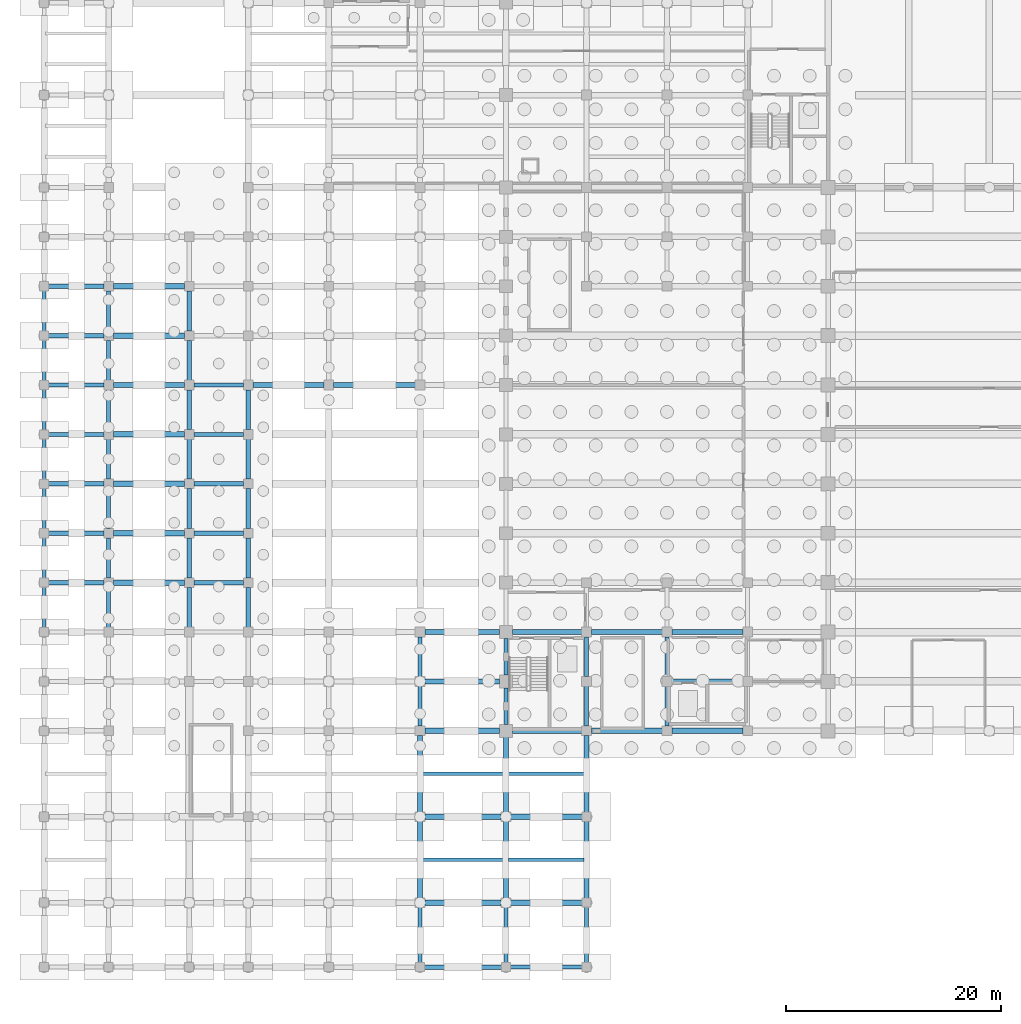
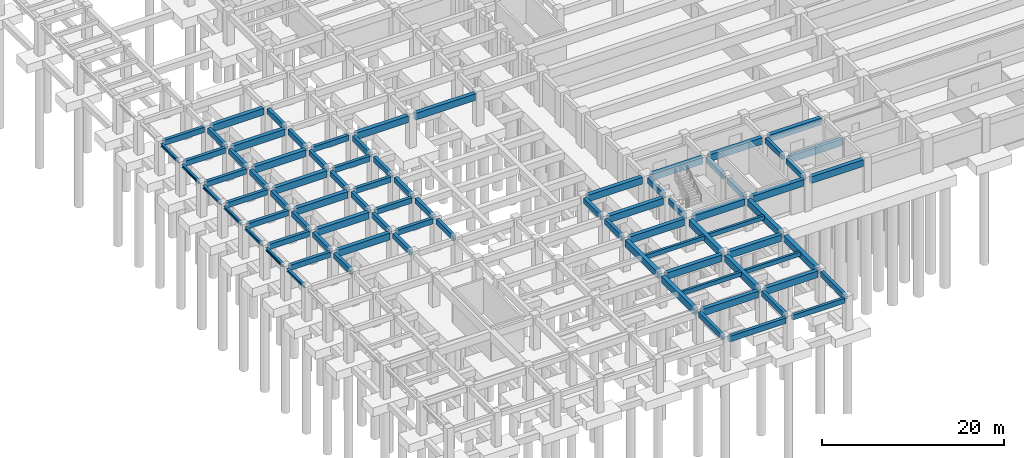
# One storey, part 13 of 32: 84 beams.
"""IFC4 building model written with IfcOpenShell, lengths in metres."""

from ifc_helpers import new_model, si_unit, direction, frame, origin, origin_2d, place, context, subcontext, project, spatial, rectangle, i_section, extrude, material, material_profile, profile_set, type_object, element, save


model = new_model("IFC4")

# Units and contexts
model_context = context("Model", 3, precision=1e-05, world=origin(), true_north=direction((0.0, 1.0)))
body_context = subcontext(model_context, "Body", "Model", "MODEL_VIEW")
ifc_project = project(units=[si_unit("LENGTHUNIT", "METRE"), si_unit("AREAUNIT", "SQUARE_METRE"), si_unit("VOLUMEUNIT", "CUBIC_METRE"), si_unit("PLANEANGLEUNIT", "RADIAN"), si_unit("MASSUNIT", "GRAM", prefix="KILO")], contexts=[model_context])

# Site, building, storey
site_placement = place(None, origin())
site = spatial("IfcSite", under=ifc_project, at=site_placement, CompositionType="ELEMENT")
building_placement = place(site_placement, origin())
building = spatial("IfcBuilding", under=site, at=building_placement, Name="Muzn Square Opera House", CompositionType="ELEMENT")
storey_placement = place(building_placement, frame((0.0, 0.0, -4.199951171875)))
storey = spatial("IfcBuildingStorey", under=building, at=storey_placement, Name="B1", CompositionType="ELEMENT", Elevation=-4.199951171875)

# Beams
ifc_material_1 = material(Name="Concrete C40/50", Category="concrete")
ifc_material_profile_1 = material_profile(ifc_material_1, rectangle(XDim=0.300048828125, YDim=0.550048828125, at=origin_2d()), Name="RCJ 300x550", Category="concrete")
ifc_profile_set_1 = profile_set([ifc_material_profile_1], Name="Concrete C40/50")
beam_type_1 = type_object("IfcBeamType", Name="Floor Joist 300x550", PredefinedType="JOIST", material=ifc_profile_set_1)
for number, where, z_axis, x_axis, name in (
    (1, (35.241943359375, 10.0, 3.60498046875), (1.0, 0.0, 0.0), (0.0, 1.0, 0.0), "Floor Joist BM-B1-BM-J550-352_100_428_100-606"),
    (2, (35.241943359375, 18.0, 3.60498046875), (1.0, 0.0, 0.0), (0.0, 1.0, 0.0), "Floor Joist BM-B1-BM-J550-352_180_428_180-607"),
):
    element("IfcBeam", number, at=place(storey_placement, frame(where, z_axis=z_axis, x_axis=x_axis)), inside=storey, type_object=beam_type_1, Name=name, PredefinedType="JOIST", context=body_context, shape_type="SweptSolid", body=[
        extrude(rectangle(XDim=0.300048828125, YDim=0.550048828125, at=origin_2d()), origin(), (0.0, 0.0, 1.0), 7.51611328125),
    ])
for number, where, z_axis, x_axis, name in (
    (3, (43.241943359375, 10.0, 3.6650390625), (1.0, 0.0, 0.0), (0.0, 1.0, 0.0), "Floor Joist BM-B1-BM-J550-432_100_503_100-619"),
    (4, (43.241943359375, 18.0, 3.6650390625), (1.0, 0.0, 0.0), (0.0, 1.0, 0.0), "Floor Joist BM-B1-BM-J550-432_180_503_180-620"),
):
    element("IfcBeam", number, at=place(storey_placement, frame(where, z_axis=z_axis, x_axis=x_axis)), inside=storey, type_object=beam_type_1, Name=name, PredefinedType="JOIST", context=body_context, shape_type="SweptSolid", body=[
        extrude(rectangle(XDim=0.300048828125, YDim=0.550048828125, at=origin_2d()), origin(), (0.0, 0.0, 1.0), 7.01611328125),
    ])
ifc_material_profile_2 = material_profile(ifc_material_1, rectangle(XDim=0.39990234375, YDim=0.699951171875, at=origin_2d()), Name="RCB 400x700", Category="concrete")
ifc_profile_set_2 = profile_set([ifc_material_profile_2], Name="Concrete C40/50")
beam_type_2 = type_object("IfcBeamType", Name="Primary Girder 400x700", PredefinedType="BEAM", material=ifc_profile_set_2)
beam_1_placement = place(storey_placement, frame((0.4169921875, 35.800048828125, 3.58984375), z_axis=(1.0, 0.0, 0.0), x_axis=(0.0, 1.0, 0.0)))
element("IfcBeam", 5, at=beam_1_placement, inside=storey, type_object=beam_type_2, Name="Primary Girder BM-B1-BM-PG700-4_358_56_358-99", PredefinedType="BEAM", context=body_context, shape_type="SweptSolid", body=[
    extrude(rectangle(XDim=0.39990234375, YDim=0.699951171875, at=origin_2d()), origin(), (0.0, 0.0, 1.0), 5.14111328125),
])
beam_2_placement = place(storey_placement, frame((13.94189453125, 35.800048828125, 3.530029296875), z_axis=(1.0, 0.0, 0.0), x_axis=(0.0, 1.0, 0.0)))
element("IfcBeam", 6, at=beam_2_placement, inside=storey, type_object=beam_type_2, Name="Primary Girder BM-B1-BM-PG700-139_358_186_358-101", PredefinedType="BEAM", context=body_context, shape_type="SweptSolid", body=[
    extrude(rectangle(XDim=0.39990234375, YDim=0.699951171875, at=origin_2d()), origin(), (0.0, 0.0, 1.0), 4.6162109375),
])
beam_3_placement = place(storey_placement, frame((0.4169921875, 40.39990234375, 3.58984375), z_axis=(1.0, 0.0, 0.0), x_axis=(0.0, 1.0, 0.0)))
element("IfcBeam", 7, at=beam_3_placement, inside=storey, type_object=beam_type_2, Name="Primary Girder BM-B1-BM-PG700-4_404_56_404-114", PredefinedType="BEAM", context=body_context, shape_type="SweptSolid", body=[
    extrude(rectangle(XDim=0.39990234375, YDim=0.699951171875, at=origin_2d()), origin(), (0.0, 0.0, 1.0), 5.14111328125),
])
beam_4_placement = place(storey_placement, frame((13.94189453125, 40.39990234375, 3.530029296875), z_axis=(1.0, 0.0, 0.0), x_axis=(0.0, 1.0, 0.0)))
element("IfcBeam", 8, at=beam_4_placement, inside=storey, type_object=beam_type_2, Name="Primary Girder BM-B1-BM-PG700-139_404_186_404-116", PredefinedType="BEAM", context=body_context, shape_type="SweptSolid", body=[
    extrude(rectangle(XDim=0.39990234375, YDim=0.699951171875, at=origin_2d()), origin(), (0.0, 0.0, 1.0), 4.6162109375),
])
beam_5_placement = place(storey_placement, frame((0.4169921875, 45.0, 3.58984375), z_axis=(1.0, 0.0, 0.0), x_axis=(0.0, 1.0, 0.0)))
element("IfcBeam", 9, at=beam_5_placement, inside=storey, type_object=beam_type_2, Name="Primary Girder BM-B1-BM-PG700-4_450_56_450-123", PredefinedType="BEAM", context=body_context, shape_type="SweptSolid", body=[
    extrude(rectangle(XDim=0.39990234375, YDim=0.699951171875, at=origin_2d()), origin(), (0.0, 0.0, 1.0), 5.14111328125),
])
beam_6_placement = place(storey_placement, frame((13.94189453125, 45.0, 3.530029296875), z_axis=(1.0, 0.0, 0.0), x_axis=(0.0, 1.0, 0.0)))
element("IfcBeam", 10, at=beam_6_placement, inside=storey, type_object=beam_type_2, Name="Primary Girder BM-B1-BM-PG700-139_450_186_450-125", PredefinedType="BEAM", context=body_context, shape_type="SweptSolid", body=[
    extrude(rectangle(XDim=0.39990234375, YDim=0.699951171875, at=origin_2d()), origin(), (0.0, 0.0, 1.0), 4.6162109375),
])
beam_7_placement = place(storey_placement, frame((0.4169921875, 49.60009765625, 3.58984375), z_axis=(1.0, 0.0, 0.0), x_axis=(0.0, 1.0, 0.0)))
element("IfcBeam", 11, at=beam_7_placement, inside=storey, type_object=beam_type_2, Name="Primary Girder BM-B1-BM-PG700-4_496_56_496-132", PredefinedType="BEAM", context=body_context, shape_type="SweptSolid", body=[
    extrude(rectangle(XDim=0.39990234375, YDim=0.699951171875, at=origin_2d()), origin(), (0.0, 0.0, 1.0), 5.14111328125),
])
beam_8_placement = place(storey_placement, frame((13.94189453125, 49.60009765625, 3.530029296875), z_axis=(1.0, 0.0, 0.0), x_axis=(0.0, 1.0, 0.0)))
element("IfcBeam", 12, at=beam_8_placement, inside=storey, type_object=beam_type_2, Name="Primary Girder BM-B1-BM-PG700-139_496_186_496-134", PredefinedType="BEAM", context=body_context, shape_type="SweptSolid", body=[
    extrude(rectangle(XDim=0.39990234375, YDim=0.699951171875, at=origin_2d()), origin(), (0.0, 0.0, 1.0), 4.6162109375),
])
beam_9_placement = place(storey_placement, frame((0.4169921875, 54.199951171875, 3.58984375), z_axis=(1.0, 0.0, 0.0), x_axis=(0.0, 1.0, 0.0)))
element("IfcBeam", 13, at=beam_9_placement, inside=storey, type_object=beam_type_2, Name="Primary Girder BM-B1-BM-PG700-4_542_56_542-141", PredefinedType="BEAM", context=body_context, shape_type="SweptSolid", body=[
    extrude(rectangle(XDim=0.39990234375, YDim=0.699951171875, at=origin_2d()), origin(), (0.0, 0.0, 1.0), 5.14111328125),
])
beam_10_placement = place(storey_placement, frame((13.94189453125, 54.199951171875, 3.530029296875), z_axis=(1.0, 0.0, 0.0), x_axis=(0.0, 1.0, 0.0)))
element("IfcBeam", 14, at=beam_10_placement, inside=storey, type_object=beam_type_2, Name="Primary Girder BM-B1-BM-PG700-139_542_186_542-143", PredefinedType="BEAM", context=body_context, shape_type="SweptSolid", body=[
    extrude(rectangle(XDim=0.39990234375, YDim=0.699951171875, at=origin_2d()), origin(), (0.0, 0.0, 1.0), 4.6162109375),
])
for number, where, z_axis, x_axis, name in (
    (15, (0.4169921875, 58.800048828125, 3.58984375), (1.0, 0.0, 0.0), (0.0, 1.0, 0.0), "Primary Girder BM-B1-BM-PG700-4_588_56_588-156"),
    (16, (0.4169921875, 63.39990234375, 3.58984375), (1.0, 0.0, 0.0), (0.0, 1.0, 0.0), "Primary Girder BM-B1-BM-PG700-4_634_56_634-171"),
):
    element("IfcBeam", number, at=place(storey_placement, frame(where, z_axis=z_axis, x_axis=x_axis)), inside=storey, type_object=beam_type_2, Name=name, PredefinedType="BEAM", context=body_context, shape_type="SweptSolid", body=[
        extrude(rectangle(XDim=0.39990234375, YDim=0.699951171875, at=origin_2d()), origin(), (0.0, 0.0, 1.0), 5.14111328125),
    ])
beam_11_placement = place(storey_placement, frame((6.0, 31.64208984375, 3.530029296875), z_axis=(0.0, 1.0, 0.0), x_axis=(-1.0, 0.0, 0.0)))
element("IfcBeam", 17, at=beam_11_placement, inside=storey, type_object=beam_type_2, Name="Primary Girder BM-B1-BM-PG700-60_316_60_354-310", PredefinedType="BEAM", context=body_context, shape_type="SweptSolid", body=[
    extrude(rectangle(XDim=0.39990234375, YDim=0.699951171875, at=origin_2d()), origin(), (0.0, 0.0, 1.0), 3.7158203125),
])
for number, where, z_axis, x_axis, name in (
    (18, (6.0, 36.241943359375, 3.530029296875), (0.0, 1.0, 0.0), (-1.0, 0.0, 0.0), "Primary Girder BM-B1-BM-PG700-60_362_60_400-311"),
    (19, (6.0, 40.842041015625, 3.530029296875), (0.0, 1.0, 0.0), (-1.0, 0.0, 0.0), "Primary Girder BM-B1-BM-PG700-60_408_60_446-312"),
    (20, (6.0, 45.44189453125, 3.530029296875), (0.0, 1.0, 0.0), (-1.0, 0.0, 0.0), "Primary Girder BM-B1-BM-PG700-60_454_60_492-313"),
    (21, (6.0, 50.0419921875, 3.530029296875), (0.0, 1.0, 0.0), (-1.0, 0.0, 0.0), "Primary Girder BM-B1-BM-PG700-60_500_60_538-314"),
):
    element("IfcBeam", number, at=place(storey_placement, frame(where, z_axis=z_axis, x_axis=x_axis)), inside=storey, type_object=beam_type_2, Name=name, PredefinedType="BEAM", context=body_context, shape_type="SweptSolid", body=[
        extrude(rectangle(XDim=0.39990234375, YDim=0.699951171875, at=origin_2d()), origin(), (0.0, 0.0, 1.0), 3.716064453125),
    ])
beam_12_placement = place(storey_placement, frame((6.0, 54.64208984375, 3.530029296875), z_axis=(0.0, 1.0, 0.0), x_axis=(-1.0, 0.0, 0.0)))
element("IfcBeam", 22, at=beam_12_placement, inside=storey, type_object=beam_type_2, Name="Primary Girder BM-B1-BM-PG700-60_546_60_584-315", PredefinedType="BEAM", context=body_context, shape_type="SweptSolid", body=[
    extrude(rectangle(XDim=0.39990234375, YDim=0.699951171875, at=origin_2d()), origin(), (0.0, 0.0, 1.0), 3.7158203125),
])
beam_13_placement = place(storey_placement, frame((6.0, 59.241943359375, 3.530029296875), z_axis=(0.0, 1.0, 0.0), x_axis=(-1.0, 0.0, 0.0)))
element("IfcBeam", 23, at=beam_13_placement, inside=storey, type_object=beam_type_2, Name="Primary Girder BM-B1-BM-PG700-60_592_60_630-316", PredefinedType="BEAM", context=body_context, shape_type="SweptSolid", body=[
    extrude(rectangle(XDim=0.39990234375, YDim=0.699951171875, at=origin_2d()), origin(), (0.0, 0.0, 1.0), 3.716064453125),
])
beam_14_placement = place(storey_placement, frame((13.5, 31.64208984375, 3.530029296875), z_axis=(0.0, 1.0, 0.0), x_axis=(-1.0, 0.0, 0.0)))
element("IfcBeam", 24, at=beam_14_placement, inside=storey, type_object=beam_type_2, Name="Primary Girder BM-B1-BM-PG700-135_316_135_354-325", PredefinedType="BEAM", context=body_context, shape_type="SweptSolid", body=[
    extrude(rectangle(XDim=0.39990234375, YDim=0.699951171875, at=origin_2d()), origin(), (0.0, 0.0, 1.0), 3.7158203125),
])
for number, where, z_axis, x_axis, name in (
    (25, (13.5, 36.241943359375, 3.530029296875), (0.0, 1.0, 0.0), (-1.0, 0.0, 0.0), "Primary Girder BM-B1-BM-PG700-135_362_135_400-326"),
    (26, (13.5, 40.842041015625, 3.530029296875), (0.0, 1.0, 0.0), (-1.0, 0.0, 0.0), "Primary Girder BM-B1-BM-PG700-135_408_135_446-327"),
    (27, (13.5, 45.44189453125, 3.530029296875), (0.0, 1.0, 0.0), (-1.0, 0.0, 0.0), "Primary Girder BM-B1-BM-PG700-135_454_135_492-328"),
    (28, (13.5, 50.0419921875, 3.530029296875), (0.0, 1.0, 0.0), (-1.0, 0.0, 0.0), "Primary Girder BM-B1-BM-PG700-135_500_135_538-329"),
):
    element("IfcBeam", number, at=place(storey_placement, frame(where, z_axis=z_axis, x_axis=x_axis)), inside=storey, type_object=beam_type_2, Name=name, PredefinedType="BEAM", context=body_context, shape_type="SweptSolid", body=[
        extrude(rectangle(XDim=0.39990234375, YDim=0.699951171875, at=origin_2d()), origin(), (0.0, 0.0, 1.0), 3.716064453125),
    ])
beam_15_placement = place(storey_placement, frame((13.5, 54.64208984375, 3.530029296875), z_axis=(0.0, 1.0, 0.0), x_axis=(-1.0, 0.0, 0.0)))
element("IfcBeam", 29, at=beam_15_placement, inside=storey, type_object=beam_type_2, Name="Primary Girder BM-B1-BM-PG700-135_546_135_584-330", PredefinedType="BEAM", context=body_context, shape_type="SweptSolid", body=[
    extrude(rectangle(XDim=0.39990234375, YDim=0.699951171875, at=origin_2d()), origin(), (0.0, 0.0, 1.0), 3.7158203125),
])
beam_16_placement = place(storey_placement, frame((13.5, 59.241943359375, 3.530029296875), z_axis=(0.0, 1.0, 0.0), x_axis=(-1.0, 0.0, 0.0)))
element("IfcBeam", 30, at=beam_16_placement, inside=storey, type_object=beam_type_2, Name="Primary Girder BM-B1-BM-PG700-135_592_135_630-331", PredefinedType="BEAM", context=body_context, shape_type="SweptSolid", body=[
    extrude(rectangle(XDim=0.39990234375, YDim=0.699951171875, at=origin_2d()), origin(), (0.0, 0.0, 1.0), 3.716064453125),
])
beam_17_placement = place(storey_placement, frame((19.0, 31.64208984375, 3.530029296875), z_axis=(0.0, 1.0, 0.0), x_axis=(-1.0, 0.0, 0.0)))
element("IfcBeam", 31, at=beam_17_placement, inside=storey, type_object=beam_type_2, Name="Primary Girder BM-B1-BM-PG700-190_316_190_354-338", PredefinedType="BEAM", context=body_context, shape_type="SweptSolid", body=[
    extrude(rectangle(XDim=0.39990234375, YDim=0.699951171875, at=origin_2d()), origin(), (0.0, 0.0, 1.0), 3.7158203125),
])
for number, where, z_axis, x_axis, name in (
    (32, (19.0, 36.241943359375, 3.530029296875), (0.0, 1.0, 0.0), (-1.0, 0.0, 0.0), "Primary Girder BM-B1-BM-PG700-190_362_190_400-339"),
    (33, (19.0, 40.842041015625, 3.530029296875), (0.0, 1.0, 0.0), (-1.0, 0.0, 0.0), "Primary Girder BM-B1-BM-PG700-190_408_190_446-340"),
    (34, (19.0, 45.44189453125, 3.530029296875), (0.0, 1.0, 0.0), (-1.0, 0.0, 0.0), "Primary Girder BM-B1-BM-PG700-190_454_190_492-341"),
    (35, (19.0, 50.0419921875, 3.530029296875), (0.0, 1.0, 0.0), (-1.0, 0.0, 0.0), "Primary Girder BM-B1-BM-PG700-190_500_190_538-342"),
):
    element("IfcBeam", number, at=place(storey_placement, frame(where, z_axis=z_axis, x_axis=x_axis)), inside=storey, type_object=beam_type_2, Name=name, PredefinedType="BEAM", context=body_context, shape_type="SweptSolid", body=[
        extrude(rectangle(XDim=0.39990234375, YDim=0.699951171875, at=origin_2d()), origin(), (0.0, 0.0, 1.0), 3.716064453125),
    ])
beam_18_placement = place(storey_placement, frame((35.0, 0.4169921875, 3.58984375), z_axis=(0.0, 1.0, 0.0), x_axis=(-1.0, 0.0, 0.0)))
element("IfcBeam", 36, at=beam_18_placement, inside=storey, type_object=beam_type_2, Name="Primary Girder BM-B1-BM-PG700-350_4_350_56-363", PredefinedType="BEAM", context=body_context, shape_type="SweptSolid", body=[
    extrude(rectangle(XDim=0.39990234375, YDim=0.699951171875, at=origin_2d()), origin(), (0.0, 0.0, 1.0), 5.14111328125),
])
for number, where, z_axis, x_axis, name in (
    (37, (35.0, 22.44189453125, 3.530029296875), (0.0, 1.0, 0.0), (-1.0, 0.0, 0.0), "Primary Girder BM-B1-BM-PG700-350_224_350_262-366"),
    (38, (35.0, 27.0419921875, 3.530029296875), (0.0, 1.0, 0.0), (-1.0, 0.0, 0.0), "Primary Girder BM-B1-BM-PG700-350_270_350_308-367"),
):
    element("IfcBeam", number, at=place(storey_placement, frame(where, z_axis=z_axis, x_axis=x_axis)), inside=storey, type_object=beam_type_2, Name=name, PredefinedType="BEAM", context=body_context, shape_type="SweptSolid", body=[
        extrude(rectangle(XDim=0.39990234375, YDim=0.699951171875, at=origin_2d()), origin(), (0.0, 0.0, 1.0), 3.716064453125),
    ])
beam_19_placement = place(storey_placement, frame((43.0, 0.4169921875, 3.58984375), z_axis=(0.0, 1.0, 0.0), x_axis=(-1.0, 0.0, 0.0)))
element("IfcBeam", 39, at=beam_19_placement, inside=storey, type_object=beam_type_2, Name="Primary Girder BM-B1-BM-PG700-430_4_430_56-376", PredefinedType="BEAM", context=body_context, shape_type="SweptSolid", body=[
    extrude(rectangle(XDim=0.39990234375, YDim=0.699951171875, at=origin_2d()), origin(), (0.0, 0.0, 1.0), 5.14111328125),
])
for number, where, z_axis, x_axis, name in (
    (40, (43.0, 22.592041015625, 3.530029296875), (0.0, 1.0, 0.0), (-1.0, 0.0, 0.0), "Primary Girder BM-B1-BM-PG700-430_226_430_260-379"),
    (41, (43.0, 27.19189453125, 3.530029296875), (0.0, 1.0, 0.0), (-1.0, 0.0, 0.0), "Primary Girder BM-B1-BM-PG700-430_272_430_306-380"),
):
    element("IfcBeam", number, at=place(storey_placement, frame(where, z_axis=z_axis, x_axis=x_axis)), inside=storey, type_object=beam_type_2, Name=name, PredefinedType="BEAM", context=body_context, shape_type="SweptSolid", body=[
        extrude(rectangle(XDim=0.39990234375, YDim=0.699951171875, at=origin_2d()), origin(), (0.0, 0.0, 1.0), 3.416015625),
    ])
beam_20_placement = place(storey_placement, frame((50.5, 0.4169921875, 3.530029296875), z_axis=(0.0, 1.0, 0.0), x_axis=(-1.0, 0.0, 0.0)))
element("IfcBeam", 42, at=beam_20_placement, inside=storey, type_object=beam_type_2, Name="Primary Girder BM-B1-BM-PG700-505_4_505_56-394", PredefinedType="BEAM", context=body_context, shape_type="SweptSolid", body=[
    extrude(rectangle(XDim=0.39990234375, YDim=0.699951171875, at=origin_2d()), origin(), (0.0, 0.0, 1.0), 5.166015625),
])
for number, where, z_axis, x_axis, name in (
    (43, (50.5, 22.44189453125, 3.530029296875), (0.0, 1.0, 0.0), (-1.0, 0.0, 0.0), "Primary Girder BM-B1-BM-PG700-505_224_505_262-397"),
    (44, (50.5, 27.0419921875, 3.530029296875), (0.0, 1.0, 0.0), (-1.0, 0.0, 0.0), "Primary Girder BM-B1-BM-PG700-505_270_505_308-398"),
    (45, (58.0, 22.44189453125, 3.530029296875), (0.0, 1.0, 0.0), (-1.0, 0.0, 0.0), "Primary Girder BM-B1-BM-PG700-580_224_580_262-406"),
    (46, (58.0, 27.0419921875, 3.530029296875), (0.0, 1.0, 0.0), (-1.0, 0.0, 0.0), "Primary Girder BM-B1-BM-PG700-580_270_580_308-407"),
):
    element("IfcBeam", number, at=place(storey_placement, frame(where, z_axis=z_axis, x_axis=x_axis)), inside=storey, type_object=beam_type_2, Name=name, PredefinedType="BEAM", context=body_context, shape_type="SweptSolid", body=[
        extrude(rectangle(XDim=0.39990234375, YDim=0.699951171875, at=origin_2d()), origin(), (0.0, 0.0, 1.0), 3.716064453125),
    ])
ifc_material_profile_3 = material_profile(ifc_material_1, rectangle(XDim=0.5, YDim=0.89990234375, at=origin_2d()), Name="RCB 500x900", Category="concrete")
ifc_profile_set_3 = profile_set([ifc_material_profile_3], Name="Concrete C40/50")
beam_type_3 = type_object("IfcBeamType", Name="Primary Girder 500x900", PredefinedType="BEAM", material=ifc_profile_set_3)
beam_21_placement = place(storey_placement, frame((35.44189453125, 6.0, 3.429931640625), z_axis=(1.0, 0.0, 0.0), x_axis=(0.0, 1.0, 0.0)))
element("IfcBeam", 47, at=beam_21_placement, inside=storey, type_object=beam_type_3, Name="Primary Girder BM-B1-BM-PG900-354_60_426_60-20", PredefinedType="BEAM", context=body_context, shape_type="SweptSolid", body=[
    extrude(rectangle(XDim=0.5, YDim=0.89990234375, at=origin_2d()), origin(), (0.0, 0.0, 1.0), 7.1162109375),
])
beam_22_placement = place(storey_placement, frame((43.44189453125, 6.0, 3.489990234375), z_axis=(1.0, 0.0, 0.0), x_axis=(0.0, 1.0, 0.0)))
element("IfcBeam", 48, at=beam_22_placement, inside=storey, type_object=beam_type_3, Name="Primary Girder BM-B1-BM-PG900-434_60_501_60-21", PredefinedType="BEAM", context=body_context, shape_type="SweptSolid", body=[
    extrude(rectangle(XDim=0.5, YDim=0.89990234375, at=origin_2d()), origin(), (0.0, 0.0, 1.0), 6.64111328125),
])
beam_23_placement = place(storey_placement, frame((35.44189453125, 14.0, 3.429931640625), z_axis=(1.0, 0.0, 0.0), x_axis=(0.0, 1.0, 0.0)))
element("IfcBeam", 49, at=beam_23_placement, inside=storey, type_object=beam_type_3, Name="Primary Girder BM-B1-BM-PG900-354_140_426_140-33", PredefinedType="BEAM", context=body_context, shape_type="SweptSolid", body=[
    extrude(rectangle(XDim=0.5, YDim=0.89990234375, at=origin_2d()), origin(), (0.0, 0.0, 1.0), 7.1162109375),
])
beam_24_placement = place(storey_placement, frame((43.44189453125, 14.0, 3.489990234375), z_axis=(1.0, 0.0, 0.0), x_axis=(0.0, 1.0, 0.0)))
element("IfcBeam", 50, at=beam_24_placement, inside=storey, type_object=beam_type_3, Name="Primary Girder BM-B1-BM-PG900-434_140_501_140-34", PredefinedType="BEAM", context=body_context, shape_type="SweptSolid", body=[
    extrude(rectangle(XDim=0.5, YDim=0.89990234375, at=origin_2d()), origin(), (0.0, 0.0, 1.0), 6.64111328125),
])
beam_25_placement = place(storey_placement, frame((35.44189453125, 22.0, 3.429931640625), z_axis=(1.0, 0.0, 0.0), x_axis=(0.0, 1.0, 0.0)))
element("IfcBeam", 51, at=beam_25_placement, inside=storey, type_object=beam_type_3, Name="Primary Girder BM-B1-BM-PG900-354_220_424_220-44", PredefinedType="BEAM", context=body_context, shape_type="SweptSolid", body=[
    extrude(rectangle(XDim=0.5, YDim=0.89990234375, at=origin_2d()), origin(), (0.0, 0.0, 1.0), 6.966064453125),
])
beam_26_placement = place(storey_placement, frame((43.592041015625, 22.0, 3.429931640625), z_axis=(1.0, 0.0, 0.0), x_axis=(0.0, 1.0, 0.0)))
element("IfcBeam", 52, at=beam_26_placement, inside=storey, type_object=beam_type_3, Name="Primary Girder BM-B1-BM-PG900-436_220_501_220-45", PredefinedType="BEAM", context=body_context, shape_type="SweptSolid", body=[
    extrude(rectangle(XDim=0.5, YDim=0.89990234375, at=origin_2d()), origin(), (0.0, 0.0, 1.0), 6.466064453125),
])
for number, where, z_axis, x_axis, name in (
    (53, (50.94189453125, 22.0, 3.429931640625), (1.0, 0.0, 0.0), (0.0, 1.0, 0.0), "Primary Girder BM-B1-BM-PG900-509_220_576_220-46"),
    (54, (58.44189453125, 22.0, 3.429931640625), (1.0, 0.0, 0.0), (0.0, 1.0, 0.0), "Primary Girder BM-B1-BM-PG900-584_220_651_220-47"),
):
    element("IfcBeam", number, at=place(storey_placement, frame(where, z_axis=z_axis, x_axis=x_axis)), inside=storey, type_object=beam_type_3, Name=name, PredefinedType="BEAM", context=body_context, shape_type="SweptSolid", body=[
        extrude(rectangle(XDim=0.5, YDim=0.89990234375, at=origin_2d()), origin(), (0.0, 0.0, 1.0), 6.6162109375),
    ])
beam_27_placement = place(storey_placement, frame((35.44189453125, 26.60009765625, 3.429931640625), z_axis=(1.0, 0.0, 0.0), x_axis=(0.0, 1.0, 0.0)))
element("IfcBeam", 55, at=beam_27_placement, inside=storey, type_object=beam_type_3, Name="Primary Girder BM-B1-BM-PG900-354_266_424_266-66", PredefinedType="BEAM", context=body_context, shape_type="SweptSolid", body=[
    extrude(rectangle(XDim=0.5, YDim=0.89990234375, at=origin_2d()), origin(), (0.0, 0.0, 1.0), 6.966064453125),
])
beam_28_placement = place(storey_placement, frame((58.44189453125, 26.60009765625, 3.429931640625), z_axis=(1.0, 0.0, 0.0), x_axis=(0.0, 1.0, 0.0)))
element("IfcBeam", 56, at=beam_28_placement, inside=storey, type_object=beam_type_3, Name="Primary Girder BM-B1-BM-PG900-584_266_651_266-67", PredefinedType="BEAM", context=body_context, shape_type="SweptSolid", body=[
    extrude(rectangle(XDim=0.5, YDim=0.89990234375, at=origin_2d()), origin(), (0.0, 0.0, 1.0), 6.6162109375),
])
beam_29_placement = place(storey_placement, frame((35.44189453125, 31.199951171875, 3.429931640625), z_axis=(1.0, 0.0, 0.0), x_axis=(0.0, 1.0, 0.0)))
element("IfcBeam", 57, at=beam_29_placement, inside=storey, type_object=beam_type_3, Name="Primary Girder BM-B1-BM-PG900-354_312_424_312-83", PredefinedType="BEAM", context=body_context, shape_type="SweptSolid", body=[
    extrude(rectangle(XDim=0.5, YDim=0.89990234375, at=origin_2d()), origin(), (0.0, 0.0, 1.0), 6.966064453125),
])
beam_30_placement = place(storey_placement, frame((43.592041015625, 31.199951171875, 3.429931640625), z_axis=(1.0, 0.0, 0.0), x_axis=(0.0, 1.0, 0.0)))
element("IfcBeam", 58, at=beam_30_placement, inside=storey, type_object=beam_type_3, Name="Primary Girder BM-B1-BM-PG900-436_312_501_312-84", PredefinedType="BEAM", context=body_context, shape_type="SweptSolid", body=[
    extrude(rectangle(XDim=0.5, YDim=0.89990234375, at=origin_2d()), origin(), (0.0, 0.0, 1.0), 6.466064453125),
])
for number, where, z_axis, x_axis, name in (
    (59, (50.94189453125, 31.199951171875, 3.429931640625), (1.0, 0.0, 0.0), (0.0, 1.0, 0.0), "Primary Girder BM-B1-BM-PG900-509_312_576_312-85"),
    (60, (58.44189453125, 31.199951171875, 3.429931640625), (1.0, 0.0, 0.0), (0.0, 1.0, 0.0), "Primary Girder BM-B1-BM-PG900-584_312_651_312-86"),
    (61, (6.44189453125, 35.800048828125, 3.429931640625), (1.0, 0.0, 0.0), (0.0, 1.0, 0.0), "Primary Girder BM-B1-BM-PG900-64_358_131_358-100"),
    (62, (6.44189453125, 40.39990234375, 3.429931640625), (1.0, 0.0, 0.0), (0.0, 1.0, 0.0), "Primary Girder BM-B1-BM-PG900-64_404_131_404-115"),
    (63, (6.44189453125, 45.0, 3.429931640625), (1.0, 0.0, 0.0), (0.0, 1.0, 0.0), "Primary Girder BM-B1-BM-PG900-64_450_131_450-124"),
    (64, (6.44189453125, 49.60009765625, 3.429931640625), (1.0, 0.0, 0.0), (0.0, 1.0, 0.0), "Primary Girder BM-B1-BM-PG900-64_496_131_496-133"),
    (65, (6.44189453125, 54.199951171875, 3.429931640625), (1.0, 0.0, 0.0), (0.0, 1.0, 0.0), "Primary Girder BM-B1-BM-PG900-64_542_131_542-142"),
    (66, (19.44189453125, 54.199951171875, 3.429931640625), (1.0, 0.0, 0.0), (0.0, 1.0, 0.0), "Primary Girder BM-B1-BM-PG900-194_542_261_542-144"),
):
    element("IfcBeam", number, at=place(storey_placement, frame(where, z_axis=z_axis, x_axis=x_axis)), inside=storey, type_object=beam_type_3, Name=name, PredefinedType="BEAM", context=body_context, shape_type="SweptSolid", body=[
        extrude(rectangle(XDim=0.5, YDim=0.89990234375, at=origin_2d()), origin(), (0.0, 0.0, 1.0), 6.6162109375),
    ])
beam_31_placement = place(storey_placement, frame((26.94189453125, 54.199951171875, 3.429931640625), z_axis=(1.0, 0.0, 0.0), x_axis=(0.0, 1.0, 0.0)))
element("IfcBeam", 67, at=beam_31_placement, inside=storey, type_object=beam_type_3, Name="Primary Girder BM-B1-BM-PG900-269_542_346_542-145", PredefinedType="BEAM", context=body_context, shape_type="SweptSolid", body=[
    extrude(rectangle(XDim=0.5, YDim=0.89990234375, at=origin_2d()), origin(), (0.0, 0.0, 1.0), 7.6162109375),
])
for number, where, z_axis, x_axis, name in (
    (68, (6.44189453125, 58.800048828125, 3.429931640625), (1.0, 0.0, 0.0), (0.0, 1.0, 0.0), "Primary Girder BM-B1-BM-PG900-64_588_131_588-157"),
    (69, (6.44189453125, 63.39990234375, 3.429931640625), (1.0, 0.0, 0.0), (0.0, 1.0, 0.0), "Primary Girder BM-B1-BM-PG900-64_634_131_634-172"),
):
    element("IfcBeam", number, at=place(storey_placement, frame(where, z_axis=z_axis, x_axis=x_axis)), inside=storey, type_object=beam_type_3, Name=name, PredefinedType="BEAM", context=body_context, shape_type="SweptSolid", body=[
        extrude(rectangle(XDim=0.5, YDim=0.89990234375, at=origin_2d()), origin(), (0.0, 0.0, 1.0), 6.6162109375),
    ])
for number, where, z_axis, x_axis, name in (
    (70, (35.0, 6.44189453125, 3.429931640625), (0.0, 1.0, 0.0), (-1.0, 0.0, 0.0), "Primary Girder BM-B1-BM-PG900-350_64_350_136-364"),
    (71, (35.0, 14.44189453125, 3.429931640625), (0.0, 1.0, 0.0), (-1.0, 0.0, 0.0), "Primary Girder BM-B1-BM-PG900-350_144_350_216-365"),
    (72, (43.0, 6.44189453125, 3.429931640625), (0.0, 1.0, 0.0), (-1.0, 0.0, 0.0), "Primary Girder BM-B1-BM-PG900-430_64_430_136-377"),
):
    element("IfcBeam", number, at=place(storey_placement, frame(where, z_axis=z_axis, x_axis=x_axis)), inside=storey, type_object=beam_type_3, Name=name, PredefinedType="BEAM", context=body_context, shape_type="SweptSolid", body=[
        extrude(rectangle(XDim=0.5, YDim=0.89990234375, at=origin_2d()), origin(), (0.0, 0.0, 1.0), 7.1162109375),
    ])
beam_32_placement = place(storey_placement, frame((43.0, 14.44189453125, 3.429931640625), z_axis=(0.0, 1.0, 0.0), x_axis=(-1.0, 0.0, 0.0)))
element("IfcBeam", 73, at=beam_32_placement, inside=storey, type_object=beam_type_3, Name="Primary Girder BM-B1-BM-PG900-430_144_430_214-378", PredefinedType="BEAM", context=body_context, shape_type="SweptSolid", body=[
    extrude(rectangle(XDim=0.5, YDim=0.89990234375, at=origin_2d()), origin(), (0.0, 0.0, 1.0), 6.966064453125),
])
beam_33_placement = place(storey_placement, frame((50.5, 6.4169921875, 3.429931640625), z_axis=(0.0, 1.0, 0.0), x_axis=(-1.0, 0.0, 0.0)))
element("IfcBeam", 74, at=beam_33_placement, inside=storey, type_object=beam_type_3, Name="Primary Girder BM-B1-BM-PG900-505_64_505_136-395", PredefinedType="BEAM", context=body_context, shape_type="SweptSolid", body=[
    extrude(rectangle(XDim=0.5, YDim=0.89990234375, at=origin_2d()), origin(), (0.0, 0.0, 1.0), 7.166015625),
])
beam_34_placement = place(storey_placement, frame((50.5, 14.4169921875, 3.429931640625), z_axis=(0.0, 1.0, 0.0), x_axis=(-1.0, 0.0, 0.0)))
element("IfcBeam", 75, at=beam_34_placement, inside=storey, type_object=beam_type_3, Name="Primary Girder BM-B1-BM-PG900-505_144_505_216-396", PredefinedType="BEAM", context=body_context, shape_type="SweptSolid", body=[
    extrude(rectangle(XDim=0.5, YDim=0.89990234375, at=origin_2d()), origin(), (0.0, 0.0, 1.0), 7.14111328125),
])
ifc_material_profile_4 = material_profile(ifc_material_1, rectangle(XDim=0.35009765625, YDim=0.64990234375, at=origin_2d()), Name="RCS 350x650", Category="concrete")
ifc_profile_set_4 = profile_set([ifc_material_profile_4], Name="Concrete C40/50")
beam_type_4 = type_object("IfcBeamType", Name="Spandrel Beam 350x650", PredefinedType="SPANDREL", material=ifc_profile_set_4)
beam_35_placement = place(storey_placement, frame((43.4169921875, 0.0, 3.554931640625), z_axis=(1.0, 0.0, 0.0), x_axis=(0.0, 1.0, 0.0)))
element("IfcBeam", 76, at=beam_35_placement, inside=storey, type_object=beam_type_4, Name="Spandrel Beam BM-B1-BM-SP650-434_0_501_0-7", PredefinedType="SPANDREL", context=body_context, shape_type="SweptSolid", body=[
    extrude(rectangle(XDim=0.35009765625, YDim=0.64990234375, at=origin_2d()), origin(), (0.0, 0.0, 1.0), 6.666015625),
])
ifc_material_profile_5 = material_profile(ifc_material_1, rectangle(XDim=0.39990234375, YDim=0.75, at=origin_2d()), Name="RCS 400x750", Category="concrete")
ifc_profile_set_5 = profile_set([ifc_material_profile_5], Name="Concrete C40/50")
beam_type_5 = type_object("IfcBeamType", Name="Spandrel Beam 400x750", PredefinedType="SPANDREL", material=ifc_profile_set_5)
beam_36_placement = place(storey_placement, frame((35.4169921875, 0.0, 3.5048828125), z_axis=(1.0, 0.0, 0.0), x_axis=(0.0, 1.0, 0.0)))
element("IfcBeam", 77, at=beam_36_placement, inside=storey, type_object=beam_type_5, Name="Spandrel Beam BM-B1-BM-SP750-354_0_426_0-6", PredefinedType="SPANDREL", context=body_context, shape_type="SweptSolid", body=[
    extrude(rectangle(XDim=0.39990234375, YDim=0.75, at=origin_2d()), origin(), (0.0, 0.0, 1.0), 7.166015625),
])
ifc_material_2 = material(Name="Steel S355", Category="steel")
ifc_material_profile_6 = material_profile(ifc_material_2, i_section(OverallWidth=0.300048828125, OverallDepth=0.389892578125, WebThickness=0.010986328125, FlangeThickness=0.01904296875, FilletRadius=0.027099609375, at=origin_2d()), Name="HEA 400", Category="steel")
ifc_profile_set_6 = profile_set([ifc_material_profile_6], Name="Steel S355")
beam_type_6 = type_object("IfcBeamType", Name="Steel Spandrel Beam HEA400", PredefinedType="SPANDREL", material=ifc_profile_set_6)
beam_37_placement = place(storey_placement, frame((0.0, 31.616943359375, 3.68505859375), z_axis=(0.0, 1.0, 0.0), x_axis=(-1.0, 0.0, 0.0)))
element("IfcBeam", 78, at=beam_37_placement, inside=storey, type_object=beam_type_6, Name="Spandrel Beam BM-B1-BM-SSP400-0_316_0_354-293", PredefinedType="SPANDREL", context=body_context, shape_type="SweptSolid", body=[
    extrude(i_section(OverallWidth=0.300048828125, OverallDepth=0.389892578125, WebThickness=0.010986328125, FlangeThickness=0.01904296875, FilletRadius=0.027099609375, at=origin_2d()), origin(), (0.0, 0.0, 1.0), 3.76611328125),
])
beam_38_placement = place(storey_placement, frame((0.0, 36.217041015625, 3.68505859375), z_axis=(0.0, 1.0, 0.0), x_axis=(-1.0, 0.0, 0.0)))
element("IfcBeam", 79, at=beam_38_placement, inside=storey, type_object=beam_type_6, Name="Spandrel Beam BM-B1-BM-SSP400-0_362_0_400-294", PredefinedType="SPANDREL", context=body_context, shape_type="SweptSolid", body=[
    extrude(i_section(OverallWidth=0.300048828125, OverallDepth=0.389892578125, WebThickness=0.010986328125, FlangeThickness=0.01904296875, FilletRadius=0.027099609375, at=origin_2d()), origin(), (0.0, 0.0, 1.0), 3.765869140625),
])
for number, where, z_axis, x_axis, name in (
    (80, (0.0, 40.81689453125, 3.68505859375), (0.0, 1.0, 0.0), (-1.0, 0.0, 0.0), "Spandrel Beam BM-B1-BM-SSP400-0_408_0_446-295"),
    (81, (0.0, 45.4169921875, 3.68505859375), (0.0, 1.0, 0.0), (-1.0, 0.0, 0.0), "Spandrel Beam BM-B1-BM-SSP400-0_454_0_492-296"),
):
    element("IfcBeam", number, at=place(storey_placement, frame(where, z_axis=z_axis, x_axis=x_axis)), inside=storey, type_object=beam_type_6, Name=name, PredefinedType="SPANDREL", context=body_context, shape_type="SweptSolid", body=[
        extrude(i_section(OverallWidth=0.300048828125, OverallDepth=0.389892578125, WebThickness=0.010986328125, FlangeThickness=0.01904296875, FilletRadius=0.027099609375, at=origin_2d()), origin(), (0.0, 0.0, 1.0), 3.76611328125),
    ])
beam_39_placement = place(storey_placement, frame((0.0, 50.01708984375, 3.68505859375), z_axis=(0.0, 1.0, 0.0), x_axis=(-1.0, 0.0, 0.0)))
element("IfcBeam", 82, at=beam_39_placement, inside=storey, type_object=beam_type_6, Name="Spandrel Beam BM-B1-BM-SSP400-0_500_0_538-297", PredefinedType="SPANDREL", context=body_context, shape_type="SweptSolid", body=[
    extrude(i_section(OverallWidth=0.300048828125, OverallDepth=0.389892578125, WebThickness=0.010986328125, FlangeThickness=0.01904296875, FilletRadius=0.027099609375, at=origin_2d()), origin(), (0.0, 0.0, 1.0), 3.765869140625),
])
beam_40_placement = place(storey_placement, frame((0.0, 54.616943359375, 3.68505859375), z_axis=(0.0, 1.0, 0.0), x_axis=(-1.0, 0.0, 0.0)))
element("IfcBeam", 83, at=beam_40_placement, inside=storey, type_object=beam_type_6, Name="Spandrel Beam BM-B1-BM-SSP400-0_546_0_584-298", PredefinedType="SPANDREL", context=body_context, shape_type="SweptSolid", body=[
    extrude(i_section(OverallWidth=0.300048828125, OverallDepth=0.389892578125, WebThickness=0.010986328125, FlangeThickness=0.01904296875, FilletRadius=0.027099609375, at=origin_2d()), origin(), (0.0, 0.0, 1.0), 3.76611328125),
])
beam_41_placement = place(storey_placement, frame((0.0, 59.217041015625, 3.68505859375), z_axis=(0.0, 1.0, 0.0), x_axis=(-1.0, 0.0, 0.0)))
element("IfcBeam", 84, at=beam_41_placement, inside=storey, type_object=beam_type_6, Name="Spandrel Beam BM-B1-BM-SSP400-0_592_0_630-299", PredefinedType="SPANDREL", context=body_context, shape_type="SweptSolid", body=[
    extrude(i_section(OverallWidth=0.300048828125, OverallDepth=0.389892578125, WebThickness=0.010986328125, FlangeThickness=0.01904296875, FilletRadius=0.027099609375, at=origin_2d()), origin(), (0.0, 0.0, 1.0), 3.765869140625),
])

save(model, "model.ifc")
